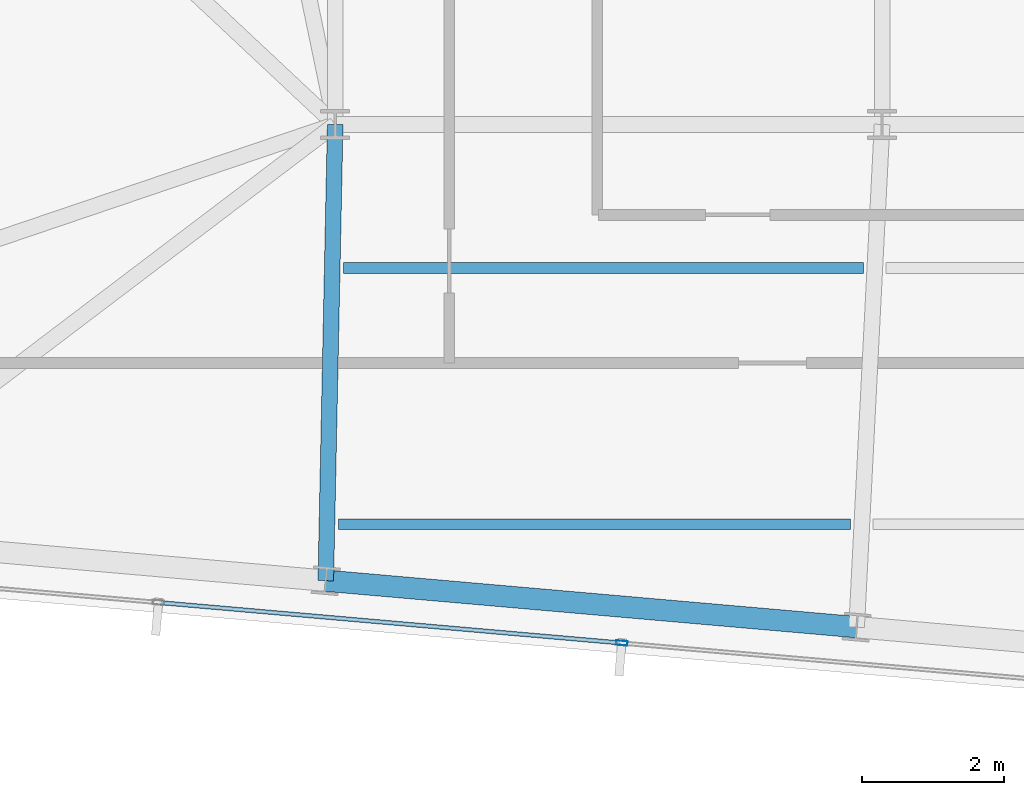
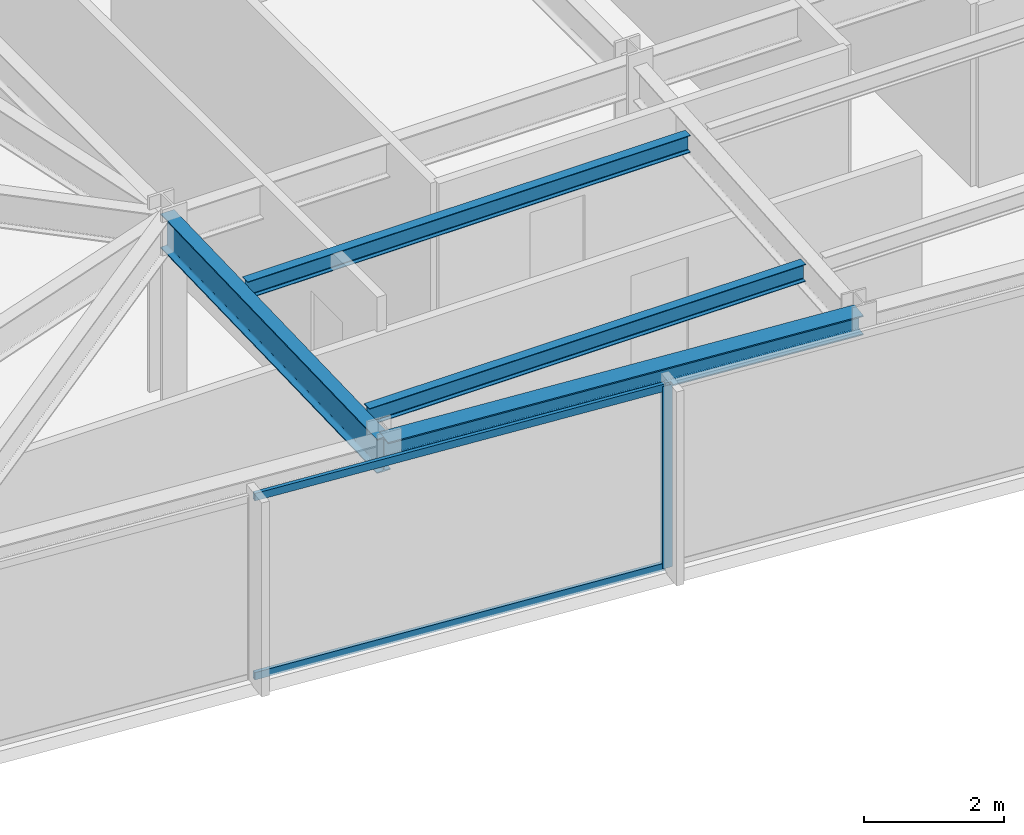
# One storey, part 6 of 32: 4 beams, 3 members, 1 element without a shape of its own.
"""IFC4 building model written with IfcOpenShell, lengths in metres."""

from ifc_helpers import new_model, si_unit, direction, frame, origin, origin_2d, place, context, subcontext, project, spatial, hollow_rectangle, i_section, extrude, material, material_profile, profile_set, type_object, element, aggregate, save


model = new_model("IFC4")

# Units and contexts
model_context = context("Model", 3, precision=1e-05, world=origin(), true_north=direction((0.0, 1.0)))
body_context = subcontext(model_context, "Body", "Model", "MODEL_VIEW")
ifc_project = project(units=[si_unit("LENGTHUNIT", "METRE"), si_unit("AREAUNIT", "SQUARE_METRE"), si_unit("VOLUMEUNIT", "CUBIC_METRE"), si_unit("PLANEANGLEUNIT", "RADIAN"), si_unit("MASSUNIT", "GRAM", prefix="KILO")], contexts=[model_context])

# Site, building, storey
site_placement = place(None, origin())
site = spatial("IfcSite", under=ifc_project, at=site_placement, CompositionType="ELEMENT")
building_placement = place(site_placement, origin())
building = spatial("IfcBuilding", under=site, at=building_placement, Name="Yelkora Congress Tower", CompositionType="ELEMENT")
storey_placement = place(building_placement, frame((0.0, 0.0, 276.10009765625)))
storey = spatial("IfcBuildingStorey", under=building, at=storey_placement, Name="L77", CompositionType="ELEMENT", Elevation=276.10009765625)

# Beams
ifc_material_1 = material(Name="Steel S355J2", Category="steel")
ifc_material_profile_1 = material_profile(ifc_material_1, i_section(OverallWidth=0.219970703125, OverallDepth=0.60009765625, WebThickness=0.011962890625, FlangeThickness=0.01904296875, FilletRadius=0.02392578125, at=origin_2d()), Name="IPE 600")
ifc_profile_set_1 = profile_set([ifc_material_profile_1], Name="Steel S355J2")
beam_type_1 = type_object("IfcBeamType", Name="BM-GIRD-IPE600", PredefinedType="BEAM", material=ifc_profile_set_1)
beam_1_placement = place(storey_placement, frame((22.90771484375, 18.793212890625, 2.8798828125), z_axis=(0.020649509667, 0.999786776143, 0.0), x_axis=(-0.999786776143, 0.020649509667, 0.0)))
element("IfcBeam", 1, at=beam_1_placement, inside=storey, type_object=beam_type_1, Name="L77 Primary Frame Girder S03", PredefinedType="BEAM", context=body_context, shape_type="SweptSolid", body=[
    extrude(i_section(OverallWidth=0.219970703125, OverallDepth=0.60009765625, WebThickness=0.011962890625, FlangeThickness=0.01904296875, FilletRadius=0.02392578125, at=origin_2d()), origin(), (0.0, 0.0, 1.0), 6.408203125),
])
ifc_material_profile_2 = material_profile(ifc_material_1, i_section(OverallWidth=0.14990234375, OverallDepth=0.300048828125, WebThickness=0.007080078125, FlangeThickness=0.0107421875, FilletRadius=0.014892578125, at=origin_2d()), Name="IPE 300")
ifc_profile_set_2 = profile_set([ifc_material_profile_2], Name="Steel S355J2")
beam_type_2 = type_object("IfcBeamType", Name="BM-JOIST-IPE300", PredefinedType="JOIST", material=ifc_profile_set_2)
beam_2_placement = place(storey_placement, frame((23.083984375, 19.58447265625, 3.02978515625), z_axis=(1.0, 0.0, 0.0), x_axis=(0.0, 1.0, 0.0)))
element("IfcBeam", 2, at=beam_2_placement, inside=storey, type_object=beam_type_2, Name="L77 Composite Floor Joist 1", PredefinedType="JOIST", context=body_context, shape_type="SweptSolid", body=[
    extrude(i_section(OverallWidth=0.14990234375, OverallDepth=0.300048828125, WebThickness=0.007080078125, FlangeThickness=0.0107421875, FilletRadius=0.014892578125, at=origin_2d()), origin(), (0.0, 0.0, 1.0), 7.191650390625),
])
beam_3_placement = place(storey_placement, frame((23.158447265625, 23.1845703125, 3.02978515625), z_axis=(1.0, 0.0, 0.0), x_axis=(0.0, 1.0, 0.0)))
element("IfcBeam", 3, at=beam_3_placement, inside=storey, type_object=beam_type_2, Name="L77 Composite Floor Joist 5", PredefinedType="JOIST", context=body_context, shape_type="SweptSolid", body=[
    extrude(i_section(OverallWidth=0.14990234375, OverallDepth=0.300048828125, WebThickness=0.007080078125, FlangeThickness=0.0107421875, FilletRadius=0.014892578125, at=origin_2d()), origin(), (0.0, 0.0, 1.0), 7.299560546875),
])
ifc_material_profile_3 = material_profile(ifc_material_1, i_section(OverallWidth=0.300048828125, OverallDepth=0.340087890625, WebThickness=0.011962890625, FlangeThickness=0.021484375, FilletRadius=0.027099609375, at=origin_2d()), Name="HEB 340")
ifc_profile_set_3 = profile_set([ifc_material_profile_3], Name="Steel S355J2")
beam_type_3 = type_object("IfcBeamType", Name="BM-SPAN-HEB340", PredefinedType="SPANDREL", material=ifc_profile_set_3)
beam_4_placement = place(storey_placement, frame((22.90771484375, 18.793212890625, 3.010009765625), z_axis=(0.99619601894, -0.087140644067, 0.0), x_axis=(0.087140644067, 0.99619601894, 0.0)))
element("IfcBeam", 4, at=beam_4_placement, inside=storey, type_object=beam_type_3, Name="L77 Perimeter Beam 3", PredefinedType="SPANDREL", context=body_context, shape_type="SweptSolid", body=[
    extrude(i_section(OverallWidth=0.300048828125, OverallDepth=0.340087890625, WebThickness=0.011962890625, FlangeThickness=0.021484375, FilletRadius=0.027099609375, at=origin_2d()), origin(), (0.0, 0.0, 1.0), 7.4833984375),
])

# Curtain wall, members
ifc_material_2 = material(Name="Anodised aluminium and insulated glass", Category="aluminium")
curtain_wall_type = type_object("IfcCurtainWallType", Name="CW-SYS-B5", PredefinedType="NOTDEFINED", material=ifc_material_2)
curtain_wall_placement = place(storey_placement, origin())
curtain_wall = element("IfcCurtainWall", 5, at=curtain_wall_placement, inside=storey, type_object=curtain_wall_type, Name="L77 Unitised Curtain Wall 20", PredefinedType="NOTDEFINED")
ifc_material_3 = material(Name="Anodised aluminium 6063-T6", Category="aluminium")
ifc_material_profile_4 = material_profile(ifc_material_3, hollow_rectangle(XDim=0.06494140625, YDim=0.159912109375, WallThickness=0.00390625, at=origin_2d()), Name="ALU 65x160x4")
ifc_profile_set_4 = profile_set([ifc_material_profile_4], Name="Anodised aluminium 6063-T6")
member_type_1 = type_object("IfcMemberType", Name="MEM-ML-B5", PredefinedType="MULLION", material=ifc_profile_set_4)
member_1_placement = place(storey_placement, frame((27.06494140625, 17.917724609375, 0.0), z_axis=(0.0, 0.0, 1.0), x_axis=(-0.087156829793, -0.996194602987, 0.0)))
member_1 = element("IfcMember", 6, at=member_1_placement, type_object=member_type_1, Name="CW-B5 mullion 5", PredefinedType="MULLION", context=body_context, shape_type="SweptSolid", body=[
    extrude(hollow_rectangle(XDim=0.06494140625, YDim=0.159912109375, WallThickness=0.00390625, at=origin_2d()), origin(), (0.0, 0.0, 1.0), 3.179931640625),
])
ifc_material_profile_5 = material_profile(ifc_material_3, hollow_rectangle(XDim=0.06005859375, YDim=0.1298828125, WallThickness=0.00390625, at=origin_2d()), Name="ALU 60x130x4")
ifc_profile_set_5 = profile_set([ifc_material_profile_5], Name="Anodised aluminium 6063-T6")
member_type_2 = type_object("IfcMemberType", Name="MEM-TR-B5", PredefinedType="USERDEFINED", material=ifc_profile_set_5)
member_2_placement = place(storey_placement, frame((27.032470703125, 17.920654296875, 0.02978515625), z_axis=(-0.996196257862, 0.087137912649, 0.0), x_axis=(-0.087137912649, -0.996196257862, 0.0)))
member_2 = element("IfcMember", 7, at=member_2_placement, type_object=member_type_2, Name="CW-B5 transom 5.1", ObjectType="TRANSOM", PredefinedType="USERDEFINED", context=body_context, shape_type="SweptSolid", body=[
    extrude(hollow_rectangle(XDim=0.06005859375, YDim=0.1298828125, WallThickness=0.00390625, at=origin_2d()), origin(), (0.0, 0.0, 1.0), 6.466552734375),
])
member_3_placement = place(storey_placement, frame((27.032470703125, 17.920654296875, 3.14990234375), z_axis=(-0.996196257862, 0.087137912649, 0.0), x_axis=(-0.087137912649, -0.996196257862, 0.0)))
member_3 = element("IfcMember", 8, at=member_3_placement, type_object=member_type_2, Name="CW-B5 transom 5.2", ObjectType="TRANSOM", PredefinedType="USERDEFINED", context=body_context, shape_type="SweptSolid", body=[
    extrude(hollow_rectangle(XDim=0.06005859375, YDim=0.1298828125, WallThickness=0.00390625, at=origin_2d()), origin(), (0.0, 0.0, 1.0), 6.466552734375),
])
aggregate(curtain_wall, [member_1, member_2, member_3])

save(model, "model.ifc")
